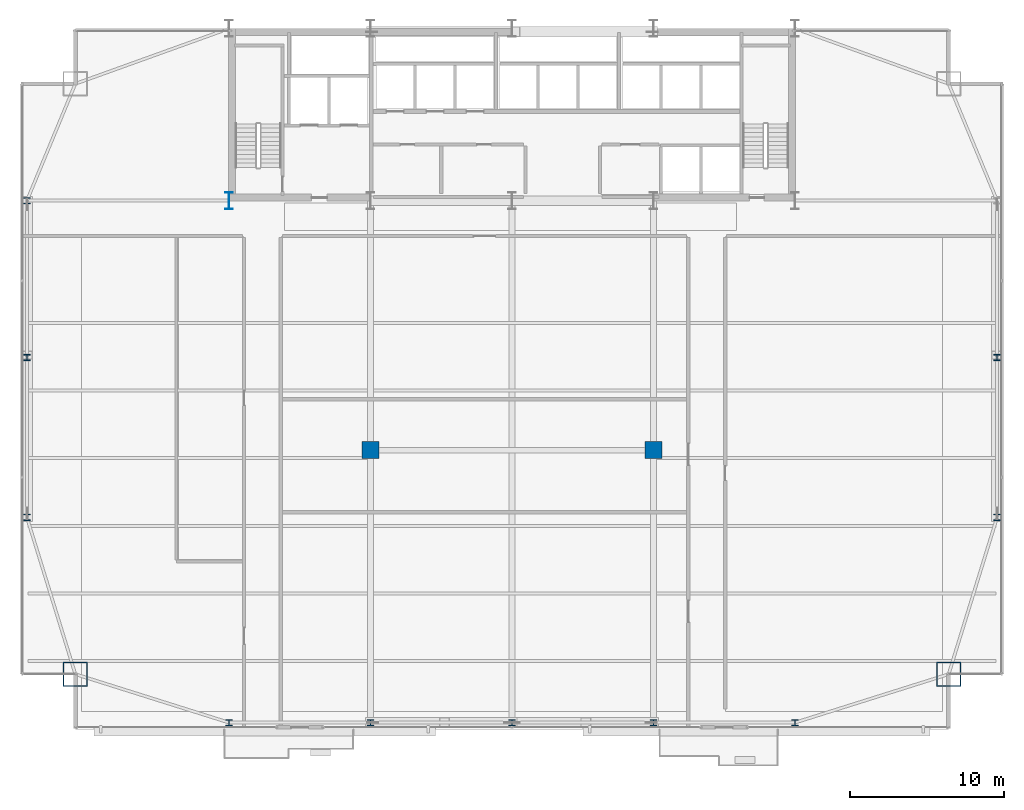
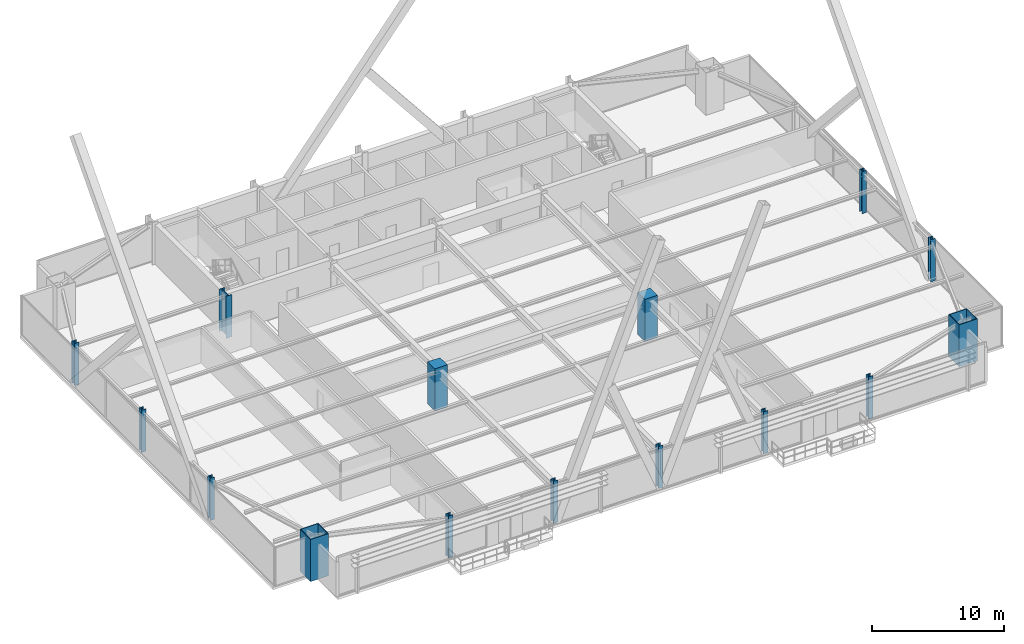
# One storey, part 1 of 32: 15 columns.
"""IFC4 building model written with IfcOpenShell, lengths in metres."""

from ifc_helpers import new_model, si_unit, direction, frame, origin, origin_2d, place, context, subcontext, project, spatial, rectangle, hollow_rectangle, i_section, extrude, source, transform, mapped, material, material_profile, profile_set, type_object, type_shapes, element, save


model = new_model("IFC4")

# Units and contexts
model_context = context("Model", 3, precision=1e-05, world=origin(), true_north=direction((0.0, 1.0)))
body_context = subcontext(model_context, "Body", "Model", "MODEL_VIEW")
ifc_project = project(units=[si_unit("LENGTHUNIT", "METRE"), si_unit("AREAUNIT", "SQUARE_METRE"), si_unit("VOLUMEUNIT", "CUBIC_METRE"), si_unit("PLANEANGLEUNIT", "RADIAN"), si_unit("MASSUNIT", "GRAM", prefix="KILO")], contexts=[model_context])

# Site, building, storey
site_placement = place(None, origin())
site = spatial("IfcSite", under=ifc_project, at=site_placement, CompositionType="ELEMENT")
building_placement = place(site_placement, origin())
building = spatial("IfcBuilding", under=site, at=building_placement, Name="Varnel Quay Broadcast Tower", CompositionType="ELEMENT")
storey_placement = place(building_placement, frame((0.0, 0.0, 58.800048828125)))
storey = spatial("IfcBuildingStorey", under=building, at=storey_placement, Name="L13", CompositionType="ELEMENT", Elevation=58.800048828125)

# Columns
ifc_material_1 = material(Name="Structural Steel CSA G40.21 350WT", Category="steel")
ifc_material_profile_1 = material_profile(ifc_material_1, i_section(OverallWidth=0.5, OverallDepth=1.10009765625, WebThickness=0.01806640625, FlangeThickness=0.031982421875, FilletRadius=0.01806640625, at=origin_2d()), Name="WWF1100X418")
ifc_profile_set_1 = profile_set([ifc_material_profile_1], Name="Structural Steel CSA G40.21 350WT")
column_type_1 = type_object("IfcColumnType", Name="Col_WWF1100X418", PredefinedType="COLUMN", material=ifc_profile_set_1)
shared_shape_1 = source(origin(), body_context, "Body", "SweptSolid", [
    extrude(i_section(OverallWidth=0.5, OverallDepth=1.10009765625, WebThickness=0.01806640625, FlangeThickness=0.031982421875, FilletRadius=0.01806640625, at=origin_2d()), origin(), (0.0, 0.0, 1.0), 3.89990234375),
])
type_shapes(column_type_1, [shared_shape_1])
column_placement = place(storey_placement, frame((15.60009765625, 35.60009765625, 0.0), z_axis=(0.0, 0.0, 1.0), x_axis=(1.0, 0.0, 0.0)))
element("IfcColumn", 1, at=column_placement, inside=storey, type_object=column_type_1, Name="L13 Column CC-S1", PredefinedType="COLUMN", context=body_context, shape_type="MappedRepresentation", body=[
    mapped(shared_shape_1, transform((0.0, 0.0, 0.0), x_axis=(1.0, 0.0, 0.0), y_axis=(0.0, 1.0, 0.0), z_axis=(0.0, 0.0, 1.0), scale=1.0)),
])
ifc_material_profile_2 = material_profile(ifc_material_1, hollow_rectangle(XDim=1.60009765625, YDim=1.60009765625, WallThickness=0.06005859375, at=origin_2d()), Name="BOX1600X1600X60")
ifc_profile_set_2 = profile_set([ifc_material_profile_2], Name="Structural Steel CSA G40.21 350WT")
column_type_2 = type_object("IfcColumnType", Name="Col_BOX1600X1600X60", PredefinedType="COLUMN", material=ifc_profile_set_2)
shared_shape_2 = source(origin(), body_context, "Body", "SweptSolid", [
    extrude(hollow_rectangle(XDim=1.60009765625, YDim=1.60009765625, WallThickness=0.06005859375, at=origin_2d()), origin(), (0.0, 0.0, 1.0), 3.89990234375),
])
type_shapes(column_type_2, [shared_shape_2])
for number, where, z_axis, x_axis, name in (
    (2, (5.60009765625, 4.800048828125, 0.0), (0.0, 0.0, 1.0), (1.0, 0.0, 0.0), "L13 Column MC-SW"),
    (3, (62.39990234375, 4.800048828125, 0.0), (0.0, 0.0, 1.0), (1.0, 0.0, 0.0), "L13 Column MC-SE"),
):
    element("IfcColumn", number, at=place(storey_placement, frame(where, z_axis=z_axis, x_axis=x_axis)), inside=storey, type_object=column_type_2, Name=name, PredefinedType="COLUMN", context=body_context, shape_type="MappedRepresentation", body=[
        mapped(shared_shape_2, transform((0.0, 0.0, 0.0), x_axis=(1.0, 0.0, 0.0), y_axis=(0.0, 1.0, 0.0), z_axis=(0.0, 0.0, 1.0), scale=1.0)),
    ])
ifc_material_2 = material(Name="Structural Steel CSA G40.21 350W", Category="steel")
ifc_material_profile_3 = material_profile(ifc_material_2, i_section(OverallWidth=0.404052734375, OverallDepth=0.406982421875, WebThickness=0.027099609375, FlangeThickness=0.043701171875, FilletRadius=0.01806640625, at=origin_2d()), Name="W360X347")
ifc_profile_set_3 = profile_set([ifc_material_profile_3], Name="Structural Steel CSA G40.21 350W")
column_type_3 = type_object("IfcColumnType", Name="Col_W360X347", PredefinedType="COLUMN", material=ifc_profile_set_3)
shared_shape_3 = source(origin(), body_context, "Body", "SweptSolid", [
    extrude(i_section(OverallWidth=0.404052734375, OverallDepth=0.406982421875, WebThickness=0.027099609375, FlangeThickness=0.043701171875, FilletRadius=0.01806640625, at=origin_2d()), origin(), (0.0, 0.0, 1.0), 3.89990234375),
])
type_shapes(column_type_3, [shared_shape_3])
for number, where, z_axis, x_axis, name in (
    (4, (15.60009765625, 1.64990234375, 0.0), (0.0, 0.0, 1.0), (1.0, 0.0, 0.0), "L13 Column TC-S1"),
    (5, (24.800048828125, 1.64990234375, 0.0), (0.0, 0.0, 1.0), (1.0, 0.0, 0.0), "L13 Column TC-S2"),
    (6, (34.0, 1.64990234375, 0.0), (0.0, 0.0, 1.0), (1.0, 0.0, 0.0), "L13 Column TC-S3"),
    (7, (43.199951171875, 1.64990234375, 0.0), (0.0, 0.0, 1.0), (1.0, 0.0, 0.0), "L13 Column TC-S4"),
    (8, (52.39990234375, 1.64990234375, 0.0), (0.0, 0.0, 1.0), (1.0, 0.0, 0.0), "L13 Column TC-S5"),
    (9, (2.449951171875, 15.0, 0.0), (0.0, 0.0, 1.0), (1.0, 0.0, 0.0), "L13 Column TC-W1"),
    (10, (65.550048828125, 15.0, 0.0), (0.0, 0.0, 1.0), (1.0, 0.0, 0.0), "L13 Column TC-E1"),
    (11, (2.449951171875, 25.39990234375, 0.0), (0.0, 0.0, 1.0), (1.0, 0.0, 0.0), "L13 Column TC-W2"),
    (12, (65.550048828125, 25.39990234375, 0.0), (0.0, 0.0, 1.0), (1.0, 0.0, 0.0), "L13 Column TC-E2"),
    (13, (2.449951171875, 35.60009765625, 0.0), (0.0, 0.0, 1.0), (1.0, 0.0, 0.0), "L13 Column TC-W3"),
):
    element("IfcColumn", number, at=place(storey_placement, frame(where, z_axis=z_axis, x_axis=x_axis)), inside=storey, type_object=column_type_3, Name=name, PredefinedType="COLUMN", context=body_context, shape_type="MappedRepresentation", body=[
        mapped(shared_shape_3, transform((0.0, 0.0, 0.0), x_axis=(1.0, 0.0, 0.0), y_axis=(0.0, 1.0, 0.0), z_axis=(0.0, 0.0, 1.0), scale=1.0)),
    ])
ifc_material_3 = material(Name="Concrete CSA A23.3 C60/75", Category="concrete")
ifc_material_profile_4 = material_profile(ifc_material_3, rectangle(XDim=1.10009765625, YDim=1.10009765625, at=origin_2d()), Name="RC1100X1100")
ifc_profile_set_4 = profile_set([ifc_material_profile_4], Name="Concrete CSA A23.3 C60/75")
column_type_4 = type_object("IfcColumnType", Name="Col_RC1100X1100", PredefinedType="COLUMN", material=ifc_profile_set_4)
shared_shape_4 = source(origin(), body_context, "Body", "SweptSolid", [
    extrude(rectangle(XDim=1.10009765625, YDim=1.10009765625, at=origin_2d()), origin(), (0.0, 0.0, 1.0), 3.89990234375),
])
type_shapes(column_type_4, [shared_shape_4])
for number, where, z_axis, x_axis, name in (
    (14, (24.800048828125, 19.3701171875, 0.0), (0.0, 0.0, 1.0), (1.0, 0.0, 0.0), "L13 Column IC-01"),
    (15, (43.199951171875, 19.3701171875, 0.0), (0.0, 0.0, 1.0), (1.0, 0.0, 0.0), "L13 Column IC-02"),
):
    element("IfcColumn", number, at=place(storey_placement, frame(where, z_axis=z_axis, x_axis=x_axis)), inside=storey, type_object=column_type_4, Name=name, PredefinedType="COLUMN", context=body_context, shape_type="MappedRepresentation", body=[
        mapped(shared_shape_4, transform((0.0, 0.0, 0.0), x_axis=(1.0, 0.0, 0.0), y_axis=(0.0, 1.0, 0.0), z_axis=(0.0, 0.0, 1.0), scale=1.0)),
    ])

save(model, "model.ifc")
